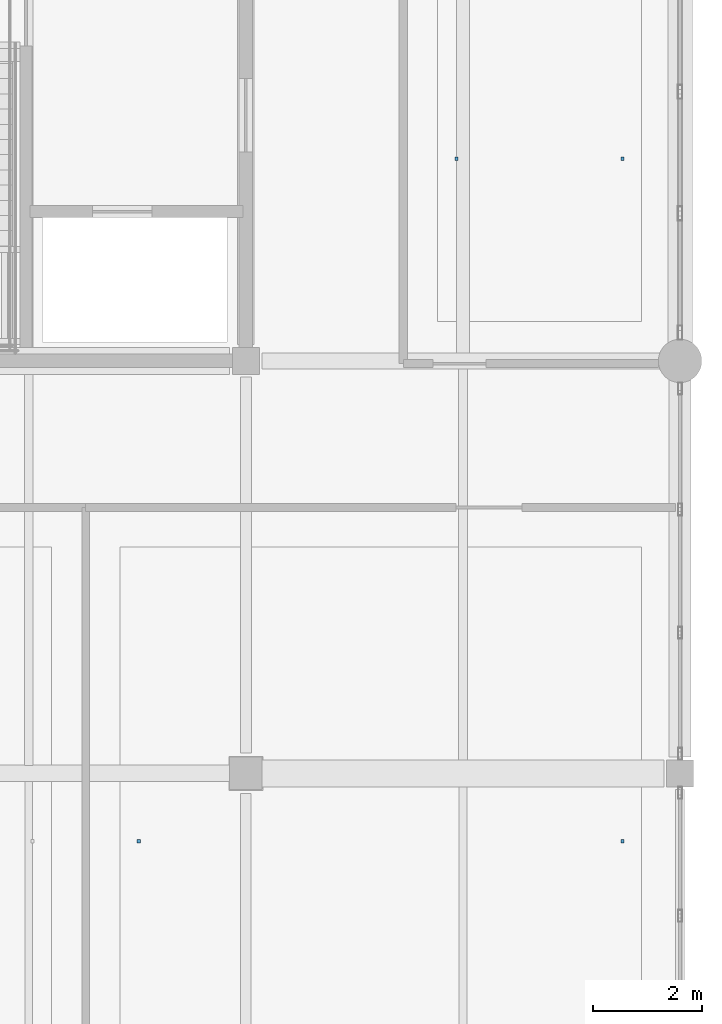
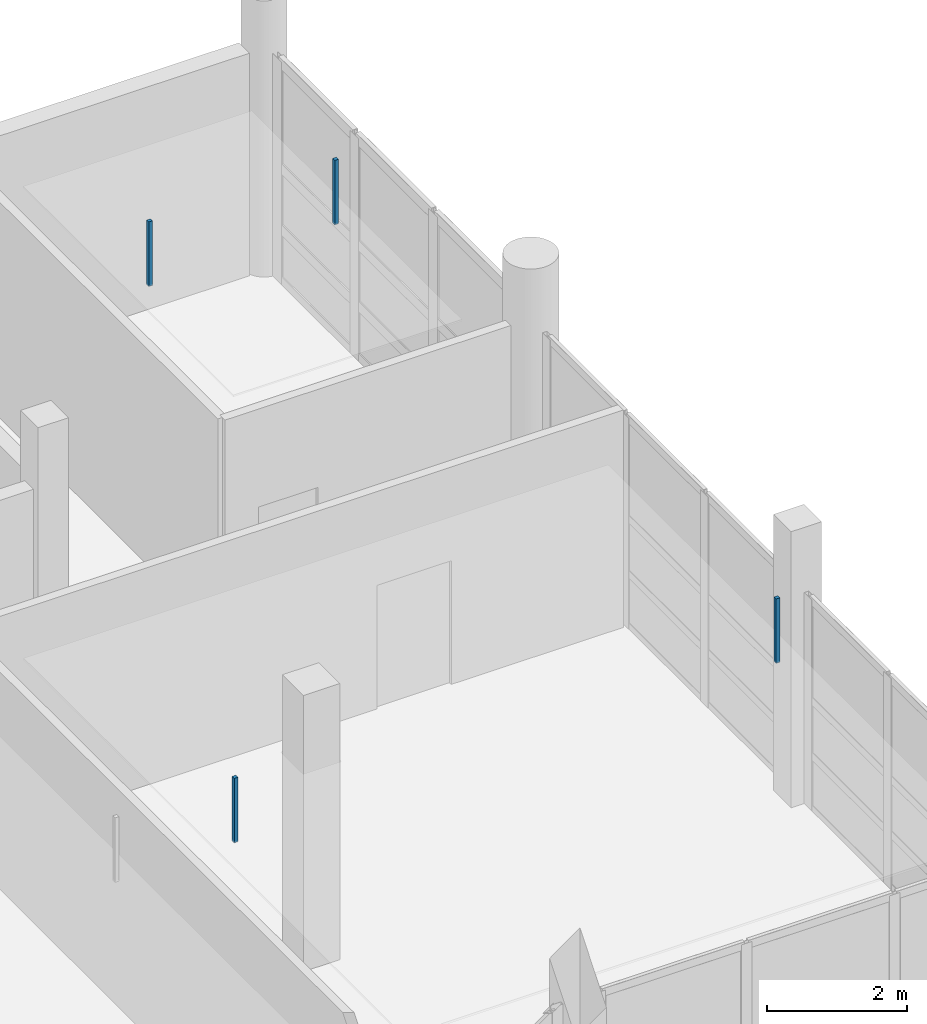
# One storey, part 92 of 107: 4 discrete accessories.
"""IFC4 building model written with IfcOpenShell, lengths in metres."""

import ifcopenshell
import ifcopenshell.guid

model = None  # the IFC model being written
_history = None  # IfcOwnerHistory: only IFC2X3 demands one
_inside = {}  # id of a spatial element -> (the spatial element, [elements in it])
_under = {}  # id of a project, library or spatial element -> (it, [spatial elements below it])
_declared = {}  # id of a project -> (the project, [libraries it declares])
_typed = {}  # id of a type object -> (the type object, [elements of that type])
_made_of = {}  # id of a material, layer set ... -> (it, [elements and type objects made of it])


def new_model(schema):
    """Start an empty IFC model of exactly this schema.

    Asked for "IFC4X3", IfcOpenShell would pick the latest addendum, in which some entities
    have other attributes; the version numbers below select the first issue.
    IFC2X3 requires an IfcOwnerHistory on every rooted entity: one is made here for all.
    """
    global model, _history
    if schema == "IFC4X3":
        model = ifcopenshell.file(schema_version=(4, 3, 0, 0))
    else:
        model = ifcopenshell.file(schema=schema)
    _inside.clear()
    _under.clear()
    _declared.clear()
    _typed.clear()
    _made_of.clear()
    _history = None
    if model.schema == "IFC2X3":
        org = make("IfcOrganization", Name="unknown")
        user = make(
            "IfcPersonAndOrganization",
            ThePerson=make("IfcPerson", FamilyName="unknown"),
            TheOrganization=org,
        )
        app = make(
            "IfcApplication",
            ApplicationDeveloper=org,
            Version="unknown",
            ApplicationFullName="unknown",
            ApplicationIdentifier="unknown",
        )
        _history = make(
            "IfcOwnerHistory",
            OwningUser=user,
            OwningApplication=app,
            ChangeAction="ADDED",
            CreationDate=0,
        )
    return model


def make(cls, **values):
    """One entity of the class cls with the attributes given. An attribute that is None is left unset."""
    return model.create_entity(
        cls, **{name: value for name, value in values.items() if value is not None}
    )


def rooted(cls, **values):
    """An entity with a GlobalId (a new one), such as an element, a storey or a relation."""
    return make(cls, GlobalId=ifcopenshell.guid.new(), OwnerHistory=_history, **values)


def si_unit(unit_type, name, prefix=None):
    """IfcSIUnit, for example si_unit("LENGTHUNIT", "METRE", prefix="MILLI")."""
    return make("IfcSIUnit", UnitType=unit_type, Prefix=prefix, Name=name)


def assignment(units):
    """IfcUnitAssignment: the units of a project."""
    return None if units is None else make("IfcUnitAssignment", Units=units)


def point(xyz):
    """IfcCartesianPoint."""
    return None if xyz is None else make("IfcCartesianPoint", Coordinates=xyz)


def direction(xyz):
    """IfcDirection."""
    return None if xyz is None else make("IfcDirection", DirectionRatios=xyz)


def frame(location, z_axis=None, x_axis=None):
    """IfcAxis2Placement3D, a coordinate frame: its origin and axes. An axis left out is left unset."""
    return make(
        "IfcAxis2Placement3D",
        Location=point(location),
        Axis=direction(z_axis),
        RefDirection=direction(x_axis),
    )


def frame_2d(location, x_axis=None):
    """IfcAxis2Placement2D, a coordinate frame in the plane: its origin and x axis."""
    return make(
        "IfcAxis2Placement2D", Location=point(location), RefDirection=direction(x_axis)
    )


def origin():
    """The frame at (0, 0, 0) with its axes left unset."""
    return frame((0.0, 0.0, 0.0))


def origin_2d():
    """The frame at (0, 0) in the plane with its x axis left unset."""
    return frame_2d((0.0, 0.0))


def place(relative_to, where):
    """IfcLocalPlacement: puts the frame where relative to a parent placement (None: the world)."""
    return make(
        "IfcLocalPlacement", PlacementRelTo=relative_to, RelativePlacement=where
    )


def context(
    kind, dimensions, precision=None, world=None, true_north=None, identifier=None
):
    """IfcGeometricRepresentationContext, for example the 3D "Model" context."""
    return make(
        "IfcGeometricRepresentationContext",
        ContextIdentifier=identifier,
        ContextType=kind,
        CoordinateSpaceDimension=dimensions,
        Precision=precision,
        WorldCoordinateSystem=world,
        TrueNorth=true_north,
    )


def subcontext(parent, identifier, kind, view, scale=None):
    """IfcGeometricRepresentationSubContext, for example "Body" below "Model"."""
    return make(
        "IfcGeometricRepresentationSubContext",
        ContextIdentifier=identifier,
        ContextType=kind,
        ParentContext=parent,
        TargetScale=scale,
        TargetView=view,
    )


def project(units=None, contexts=None):
    """IfcProject with its units and contexts."""
    return rooted(
        "IfcProject",
        Name="project",
        RepresentationContexts=contexts,
        UnitsInContext=assignment(units),
    )


def spatial(cls, under=None, at=None, **own):
    """A site, building, storey or space (cls), placed at a placement, below another one or the project."""
    s = rooted(cls, ObjectPlacement=at, **own)
    if under is not None:
        _under.setdefault(under.id(), (under, []))[1].append(s)
    return s


def profile(cls, at=None, kind="AREA", **sizes):
    """A parametric profile (cls). Its sizes go by their IFC names, for example OverallWidth=200.0."""
    return make(cls, ProfileType=kind, Position=at, **sizes)


def rectangle(**sizes):
    """IfcRectangleProfileDef."""
    return profile("IfcRectangleProfileDef", **sizes)


def extrude(swept, where, along, depth):
    """IfcExtrudedAreaSolid: the profile swept, set in the frame where, extruded along a direction by depth."""
    return make(
        "IfcExtrudedAreaSolid",
        SweptArea=swept,
        Position=where,
        ExtrudedDirection=direction(along),
        Depth=depth,
    )


def shape(context_of_items, identifier, shape_type, items):
    """IfcShapeRepresentation: the items that make up one representation, for example the "Body"."""
    return make(
        "IfcShapeRepresentation",
        ContextOfItems=context_of_items,
        RepresentationIdentifier=identifier,
        RepresentationType=shape_type,
        Items=items,
    )


def material(Name=None, Category=None):
    """IfcMaterial."""
    return make("IfcMaterial", Name=Name, Category=Category)


def made_of(thing, what):
    """Note that an element or type object is made of a material, layer set ...; save() writes the relation."""
    if what is not None:
        _made_of.setdefault(what.id(), (what, []))[1].append(thing)
    return thing


def type_object(cls, material=None, **own):
    """A type object (cls), such as IfcWallType, which elements share."""
    return made_of(rooted(cls, **own), material)


def element(
    cls,
    number,
    at=None,
    inside=None,
    cuts=None,
    type_object=None,
    material=None,
    context=None,
    identifier="Body",
    shape_type=None,
    held_by="IfcProductDefinitionShape",
    body=None,
    shapes=None,
    **own,
):
    """One element of the class cls, such as IfcWall. Its Tag is "e" and its number.

    at: its placement. inside: the storey or other place that contains it. cuts: it is an
    opening in that element (IfcRelVoidsElement). A single representation is given by context,
    identifier, shape_type and body (its items); several are given by shapes. held_by: the class
    of the entity that holds the representations. save() writes the other relations.
    """
    e = rooted(cls, Tag="e%d" % number, ObjectPlacement=at, **own)
    if body is not None:
        shapes = [shape(context, identifier, shape_type, body)]
    if shapes is not None:
        e.Representation = make(held_by, Representations=shapes)
    if inside is not None:
        _inside.setdefault(inside.id(), (inside, []))[1].append(e)
    if cuts is not None:
        rooted(
            "IfcRelVoidsElement", RelatingBuildingElement=cuts, RelatedOpeningElement=e
        )
    if type_object is not None:
        _typed.setdefault(type_object.id(), (type_object, []))[1].append(e)
    return made_of(e, material)


def aggregate(whole, parts):
    """IfcRelAggregates: a whole, such as a stair, and the parts it consists of."""
    return rooted("IfcRelAggregates", RelatingObject=whole, RelatedObjects=parts)


def save(model, path):
    """Write the relations noted so far, then the file.

    IfcRelAggregates (storeys below a building ...), IfcRelContainedInSpatialStructure (elements
    in a storey), IfcRelDefinesByType, IfcRelAssociatesMaterial and IfcRelDeclares: one each for
    every whole, place, type object, material and project.
    """
    for whole, parts in _under.values():
        aggregate(whole, parts)
    for where, things in _inside.values():
        rooted(
            "IfcRelContainedInSpatialStructure",
            RelatedElements=things,
            RelatingStructure=where,
        )
    for kind, things in _typed.values():
        rooted("IfcRelDefinesByType", RelatedObjects=things, RelatingType=kind)
    for what, things in _made_of.values():
        rooted("IfcRelAssociatesMaterial", RelatedObjects=things, RelatingMaterial=what)
    for by, libraries in _declared.values():
        rooted("IfcRelDeclares", RelatingContext=by, RelatedDefinitions=libraries)
    model.write(path)


model = new_model("IFC4")

# Units and contexts
model_context = context("Model", 3, precision=1e-05, world=origin(), true_north=direction((0.0, 1.0)))
body_context = subcontext(model_context, "Body", "Model", "MODEL_VIEW")
ifc_project = project(units=[si_unit("LENGTHUNIT", "METRE"), si_unit("AREAUNIT", "SQUARE_METRE"), si_unit("VOLUMEUNIT", "CUBIC_METRE"), si_unit("PLANEANGLEUNIT", "RADIAN"), si_unit("MASSUNIT", "GRAM", prefix="KILO")], contexts=[model_context])

# Site, building, storey
site_placement = place(None, origin())
site = spatial("IfcSite", under=ifc_project, at=site_placement, CompositionType="ELEMENT")
building_placement = place(site_placement, origin())
building = spatial("IfcBuilding", under=site, at=building_placement, Name="Khelvaren Railside Concert Hall", CompositionType="ELEMENT")
storey_placement = place(building_placement, frame((0.0, 0.0, 15.0)))
storey = spatial("IfcBuildingStorey", under=building, at=storey_placement, Name="L03", CompositionType="ELEMENT", Elevation=15.0)

# Discrete accessories
ifc_material = material(Name="Galvanised steel acoustic ceiling hanger rod", Category="steel")
discrete_accessory_type = type_object("IfcDiscreteAccessoryType", Name="BRK62", PredefinedType="BRACKET", material=ifc_material)
for number, where, z_axis, x_axis, name in (
    (1, (174.027099609375, 97.550048828125, 3.429931640625), (0.0, 0.0, 1.0), (1.0, 0.0, 0.0), "Acoustic Ceiling Suspension Bracket 158-1"),
    (2, (182.93994140625, 97.550048828125, 3.429931640625), (0.0, 0.0, 1.0), (1.0, 0.0, 0.0), "Acoustic Ceiling Suspension Bracket 158-2"),
    (3, (179.8798828125, 110.125, 3.429931640625), (0.0, 0.0, 1.0), (1.0, 0.0, 0.0), "Acoustic Ceiling Suspension Bracket 161-1"),
    (4, (182.93994140625, 110.125, 3.429931640625), (0.0, 0.0, 1.0), (1.0, 0.0, 0.0), "Acoustic Ceiling Suspension Bracket 161-2"),
):
    element("IfcDiscreteAccessory", number, at=place(storey_placement, frame(where, z_axis=z_axis, x_axis=x_axis)), inside=storey, type_object=discrete_accessory_type, Name=name, PredefinedType="BRACKET", context=body_context, shape_type="SweptSolid", body=[
        extrude(rectangle(XDim=0.06005859375, YDim=0.06005859375, at=origin_2d()), origin(), (0.0, 0.0, 1.0), 1.1201171875),
    ])

save(model, "model.ifc")
